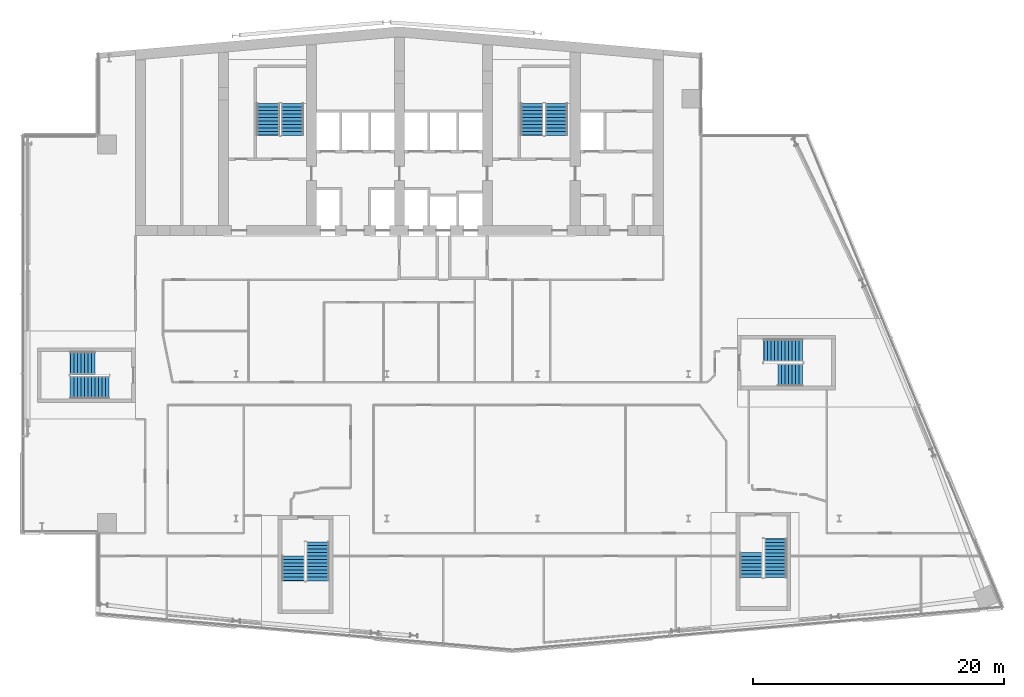
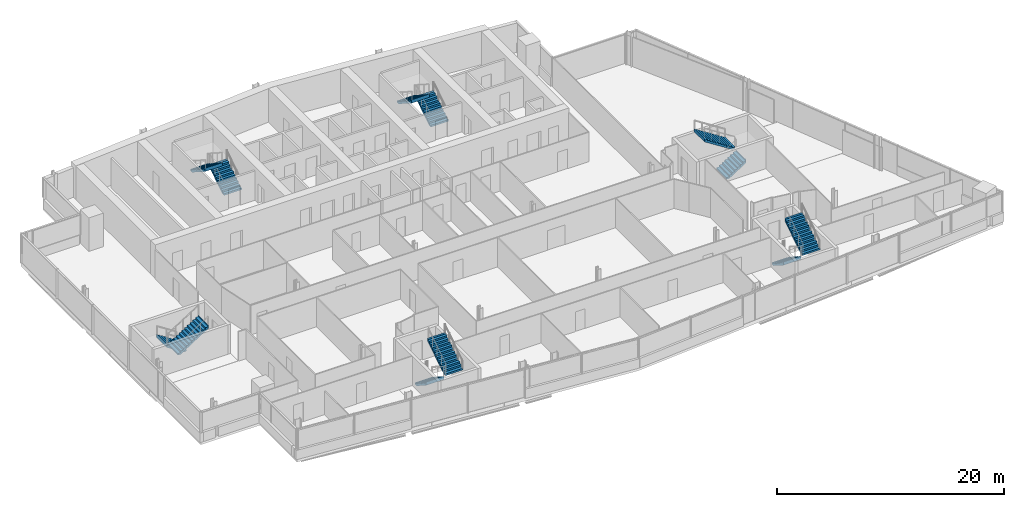
# One storey, part 21 of 24: 12 stair flights, 6 elements without a shape of their own.
"""IFC4 building model written with IfcOpenShell, lengths in metres."""

from ifc_helpers import new_model, si_unit, direction, frame, origin, place, context, subcontext, project, spatial, polyline, outline, extrude, material, type_object, element, aggregate, save


model = new_model("IFC4")

# Units and contexts
model_context = context("Model", 3, precision=1e-05, world=origin(), true_north=direction((0.0, 1.0)))
body_context = subcontext(model_context, "Body", "Model", "MODEL_VIEW")
ifc_project = project(units=[si_unit("LENGTHUNIT", "METRE"), si_unit("AREAUNIT", "SQUARE_METRE"), si_unit("VOLUMEUNIT", "CUBIC_METRE"), si_unit("PLANEANGLEUNIT", "RADIAN"), si_unit("MASSUNIT", "GRAM", prefix="KILO")], contexts=[model_context])

# Site, building, storey
site_placement = place(None, origin())
site = spatial("IfcSite", under=ifc_project, at=site_placement, CompositionType="ELEMENT")
building_placement = place(site_placement, origin())
building = spatial("IfcBuilding", under=site, at=building_placement, Name="Wharfspan Tower", CompositionType="ELEMENT")
storey_placement = place(building_placement, frame((0.0, 0.0, 198.699951)))
storey = spatial("IfcBuildingStorey", under=building, at=storey_placement, Name="L49", CompositionType="ELEMENT", Elevation=198.699951)

# Stair, stair flights
ifc_material = material(Name="Concrete C40/50", Category="concrete")
stair_type = type_object("IfcStairType", Name="Half-turn stair 20 risers 180 mm", PredefinedType="HALF_TURN_STAIR", material=ifc_material)
stair_1_placement = place(storey_placement, origin())
stair_1 = element("IfcStair", 1, at=stair_1_placement, inside=storey, type_object=stair_type, Name="L49 stair ST1", PredefinedType="HALF_TURN_STAIR")
stair_flight_type = type_object("IfcStairFlightType", Name="Stair flight 20 risers 180 mm", PredefinedType="STRAIGHT", material=ifc_material)
stair_flight_1_placement = place(storey_placement, frame((28.5, 42.0, 0.0), z_axis=(0.0, 0.0, 1.0), x_axis=(0.0, 1.0, 0.0)))
stair_flight_1 = element("IfcStairFlight", 2, at=stair_flight_1_placement, type_object=stair_flight_type, Name="ST1 flight 1", NumberOfRisers=10, NumberOfTreads=9, PredefinedType="STRAIGHT", RiserHeight=0.18, TreadLength=0.28, context=body_context, shape_type="SweptSolid", body=[
    extrude(outline(polyline([(-0.011963, 0.0), (-0.011963, 0.179932), (0.0, 0.179932), (0.280029, 0.179932), (0.280029, 0.360107), (0.560059, 0.360107), (0.560059, 0.540039), (0.840088, 0.540039), (0.840088, 0.719971), (1.120117, 0.719971), (1.120117, 0.899902), (1.399902, 0.899902), (1.399902, 1.080078), (1.679932, 1.080078), (1.679932, 1.26001), (1.959961, 1.26001), (1.959961, 1.439941), (2.23999, 1.439941), (2.23999, 1.620117), (2.52002, 1.620117), (2.531982, 1.800049), (2.531982, 1.441895), (0.2771, 0.0), (-0.011963, 0.0)])), frame((0.0, 0.899902, 0.0), z_axis=(0.0, -1.0, 0.0), x_axis=(1.0, 0.0, 0.0)), (0.0, 0.0, 1.0), 0.899414),
    extrude(outline(polyline([(-0.011963, 0.0), (-0.011963, 0.179932), (0.0, 0.179932), (0.280029, 0.179932), (0.280029, 0.360107), (0.560059, 0.360107), (0.560059, 0.540039), (0.840088, 0.540039), (0.840088, 0.719971), (1.120117, 0.719971), (1.120117, 0.899902), (1.399902, 0.899902), (1.399902, 1.080078), (1.679932, 1.080078), (1.679932, 1.26001), (1.959961, 1.26001), (1.959961, 1.439941), (2.23999, 1.439941), (2.23999, 1.620117), (2.52002, 1.620117), (2.531982, 1.800049), (2.531982, 1.441895), (0.2771, 0.0), (-0.011963, 0.0)])), frame((0.0, -0.000488, 0.0), z_axis=(0.0, -1.0, 0.0), x_axis=(1.0, 0.0, 0.0)), (0.0, 0.0, 1.0), 0.899414),
])
stair_flight_2_placement = place(storey_placement, frame((26.550049, 44.52002, 1.800049), z_axis=(0.0, 0.0, 1.0), x_axis=(0.0, -1.0, 0.0)))
stair_flight_2 = element("IfcStairFlight", 3, at=stair_flight_2_placement, type_object=stair_flight_type, Name="ST1 flight 2", NumberOfRisers=10, NumberOfTreads=9, PredefinedType="STRAIGHT", RiserHeight=0.18, TreadLength=0.28, context=body_context, shape_type="SweptSolid", body=[
    extrude(outline(polyline([(-0.011963, 0.0), (-0.011963, 0.179932), (0.0, 0.179932), (0.280029, 0.179932), (0.280029, 0.360107), (0.560059, 0.360107), (0.560059, 0.540039), (0.840088, 0.540039), (0.840088, 0.719971), (1.120117, 0.719971), (1.120117, 0.899902), (1.399902, 0.899902), (1.399902, 1.080078), (1.679932, 1.080078), (1.679932, 1.26001), (1.959961, 1.26001), (1.959961, 1.439941), (2.23999, 1.439941), (2.23999, 1.620117), (2.52002, 1.620117), (2.531982, 1.800049), (2.531982, 1.441895), (0.2771, 0.0), (-0.011963, 0.0)])), frame((0.0, 0.899902, 0.0), z_axis=(0.0, -1.0, 0.0), x_axis=(1.0, 0.0, 0.0)), (0.0, 0.0, 1.0), 0.899414),
    extrude(outline(polyline([(-0.011963, 0.0), (-0.011963, 0.179932), (0.0, 0.179932), (0.280029, 0.179932), (0.280029, 0.360107), (0.560059, 0.360107), (0.560059, 0.540039), (0.840088, 0.540039), (0.840088, 0.719971), (1.120117, 0.719971), (1.120117, 0.899902), (1.399902, 0.899902), (1.399902, 1.080078), (1.679932, 1.080078), (1.679932, 1.26001), (1.959961, 1.26001), (1.959961, 1.439941), (2.23999, 1.439941), (2.23999, 1.620117), (2.52002, 1.620117), (2.531982, 1.800049), (2.531982, 1.441895), (0.2771, 0.0), (-0.011963, 0.0)])), frame((0.0, -0.000488, 0.0), z_axis=(0.0, -1.0, 0.0), x_axis=(1.0, 0.0, 0.0)), (0.0, 0.0, 1.0), 0.899414),
])
aggregate(stair_1, [stair_flight_1, stair_flight_2])

stair_2_placement = place(storey_placement, origin())
stair_2 = element("IfcStair", 4, at=stair_2_placement, inside=storey, type_object=stair_type, Name="L49 stair ST2", PredefinedType="HALF_TURN_STAIR")
stair_flight_3_placement = place(storey_placement, frame((49.5, 42.0, 0.0), z_axis=(0.0, 0.0, 1.0), x_axis=(0.0, 1.0, 0.0)))
stair_flight_3 = element("IfcStairFlight", 5, at=stair_flight_3_placement, type_object=stair_flight_type, Name="ST2 flight 1", NumberOfRisers=10, NumberOfTreads=9, PredefinedType="STRAIGHT", RiserHeight=0.18, TreadLength=0.28, context=body_context, shape_type="SweptSolid", body=[
    extrude(outline(polyline([(-0.011963, 0.0), (-0.011963, 0.179932), (0.0, 0.179932), (0.280029, 0.179932), (0.280029, 0.360107), (0.560059, 0.360107), (0.560059, 0.540039), (0.840088, 0.540039), (0.840088, 0.719971), (1.120117, 0.719971), (1.120117, 0.899902), (1.399902, 0.899902), (1.399902, 1.080078), (1.679932, 1.080078), (1.679932, 1.26001), (1.959961, 1.26001), (1.959961, 1.439941), (2.23999, 1.439941), (2.23999, 1.620117), (2.52002, 1.620117), (2.531982, 1.800049), (2.531982, 1.441895), (0.2771, 0.0), (-0.011963, 0.0)])), frame((0.0, 0.899902, 0.0), z_axis=(0.0, -1.0, 0.0), x_axis=(1.0, 0.0, 0.0)), (0.0, 0.0, 1.0), 0.899414),
    extrude(outline(polyline([(-0.011963, 0.0), (-0.011963, 0.179932), (0.0, 0.179932), (0.280029, 0.179932), (0.280029, 0.360107), (0.560059, 0.360107), (0.560059, 0.540039), (0.840088, 0.540039), (0.840088, 0.719971), (1.120117, 0.719971), (1.120117, 0.899902), (1.399902, 0.899902), (1.399902, 1.080078), (1.679932, 1.080078), (1.679932, 1.26001), (1.959961, 1.26001), (1.959961, 1.439941), (2.23999, 1.439941), (2.23999, 1.620117), (2.52002, 1.620117), (2.531982, 1.800049), (2.531982, 1.441895), (0.2771, 0.0), (-0.011963, 0.0)])), frame((0.0, -0.000488, 0.0), z_axis=(0.0, -1.0, 0.0), x_axis=(1.0, 0.0, 0.0)), (0.0, 0.0, 1.0), 0.899414),
])
stair_flight_4_placement = place(storey_placement, frame((47.550049, 44.52002, 1.800049), z_axis=(0.0, 0.0, 1.0), x_axis=(0.0, -1.0, 0.0)))
stair_flight_4 = element("IfcStairFlight", 6, at=stair_flight_4_placement, type_object=stair_flight_type, Name="ST2 flight 2", NumberOfRisers=10, NumberOfTreads=9, PredefinedType="STRAIGHT", RiserHeight=0.18, TreadLength=0.28, context=body_context, shape_type="SweptSolid", body=[
    extrude(outline(polyline([(-0.011963, 0.0), (-0.011963, 0.179932), (0.0, 0.179932), (0.280029, 0.179932), (0.280029, 0.360107), (0.560059, 0.360107), (0.560059, 0.540039), (0.840088, 0.540039), (0.840088, 0.719971), (1.120117, 0.719971), (1.120117, 0.899902), (1.399902, 0.899902), (1.399902, 1.080078), (1.679932, 1.080078), (1.679932, 1.26001), (1.959961, 1.26001), (1.959961, 1.439941), (2.23999, 1.439941), (2.23999, 1.620117), (2.52002, 1.620117), (2.531982, 1.800049), (2.531982, 1.441895), (0.2771, 0.0), (-0.011963, 0.0)])), frame((0.0, 0.899902, 0.0), z_axis=(0.0, -1.0, 0.0), x_axis=(1.0, 0.0, 0.0)), (0.0, 0.0, 1.0), 0.899414),
    extrude(outline(polyline([(-0.011963, 0.0), (-0.011963, 0.179932), (0.0, 0.179932), (0.280029, 0.179932), (0.280029, 0.360107), (0.560059, 0.360107), (0.560059, 0.540039), (0.840088, 0.540039), (0.840088, 0.719971), (1.120117, 0.719971), (1.120117, 0.899902), (1.399902, 0.899902), (1.399902, 1.080078), (1.679932, 1.080078), (1.679932, 1.26001), (1.959961, 1.26001), (1.959961, 1.439941), (2.23999, 1.439941), (2.23999, 1.620117), (2.52002, 1.620117), (2.531982, 1.800049), (2.531982, 1.441895), (0.2771, 0.0), (-0.011963, 0.0)])), frame((0.0, -0.000488, 0.0), z_axis=(0.0, -1.0, 0.0), x_axis=(1.0, 0.0, 0.0)), (0.0, 0.0, 1.0), 0.899414),
])
aggregate(stair_2, [stair_flight_3, stair_flight_4])

stair_3_placement = place(storey_placement, origin())
stair_3 = element("IfcStair", 7, at=stair_3_placement, inside=storey, type_object=stair_type, Name="L49 stair ST3", PredefinedType="HALF_TURN_STAIR")
stair_flight_5_placement = place(storey_placement, frame((12.780029, 23.875, 0.0), z_axis=(0.0, 0.0, 1.0), x_axis=(-1.0, 0.0, 0.0)))
stair_flight_5 = element("IfcStairFlight", 8, at=stair_flight_5_placement, type_object=stair_flight_type, Name="ST3 flight 1", NumberOfRisers=8, NumberOfTreads=7, PredefinedType="STRAIGHT", RiserHeight=0.18, TreadLength=0.28, context=body_context, shape_type="SweptSolid", body=[
    extrude(outline(polyline([(-0.011963, 0.0), (-0.011963, 0.179932), (0.0, 0.179932), (0.280029, 0.179932), (0.280029, 0.360107), (0.560059, 0.360107), (0.560059, 0.540039), (0.840088, 0.540039), (0.840088, 0.719971), (1.120117, 0.719971), (1.120117, 0.899902), (1.399902, 0.899902), (1.399902, 1.080078), (1.679932, 1.080078), (1.679932, 1.26001), (1.959961, 1.26001), (1.971924, 1.439941), (1.971924, 1.081787), (0.2771, 0.0), (-0.011963, 0.0)])), frame((0.0, 0.899902, 0.0), z_axis=(0.0, -1.0, 0.0), x_axis=(1.0, 0.0, 0.0)), (0.0, 0.0, 1.0), 0.899414),
    extrude(outline(polyline([(-0.011963, 0.0), (-0.011963, 0.179932), (0.0, 0.179932), (0.280029, 0.179932), (0.280029, 0.360107), (0.560059, 0.360107), (0.560059, 0.540039), (0.840088, 0.540039), (0.840088, 0.719971), (1.120117, 0.719971), (1.120117, 0.899902), (1.399902, 0.899902), (1.399902, 1.080078), (1.679932, 1.080078), (1.679932, 1.26001), (1.959961, 1.26001), (1.971924, 1.439941), (1.971924, 1.081787), (0.2771, 0.0), (-0.011963, 0.0)])), frame((0.0, -0.000488, 0.0), z_axis=(0.0, -1.0, 0.0), x_axis=(1.0, 0.0, 0.0)), (0.0, 0.0, 1.0), 0.899414),
])
stair_flight_6_placement = place(storey_placement, frame((10.820068, 21.925049, 1.439941), z_axis=(0.0, 0.0, 1.0), x_axis=(1.0, 0.0, 0.0)))
stair_flight_6 = element("IfcStairFlight", 9, at=stair_flight_6_placement, type_object=stair_flight_type, Name="ST3 flight 2", NumberOfRisers=12, NumberOfTreads=11, PredefinedType="STRAIGHT", RiserHeight=0.18, TreadLength=0.28, context=body_context, shape_type="SweptSolid", body=[
    extrude(outline(polyline([(-0.011963, 0.0), (-0.011963, 0.179932), (0.0, 0.179932), (0.280029, 0.179932), (0.280029, 0.360107), (0.560059, 0.360107), (0.560059, 0.540039), (0.840088, 0.540039), (0.840088, 0.719971), (1.120117, 0.719971), (1.120117, 0.899902), (1.399902, 0.899902), (1.399902, 1.080078), (1.679932, 1.080078), (1.679932, 1.26001), (1.959961, 1.26001), (1.959961, 1.439941), (2.23999, 1.439941), (2.23999, 1.620117), (2.52002, 1.620117), (2.52002, 1.800049), (2.800049, 1.800049), (2.800049, 1.97998), (3.080078, 1.97998), (3.092041, 2.159912), (3.092041, 1.801758), (0.2771, 0.0), (-0.011963, 0.0)])), frame((0.0, 0.899902, 0.0), z_axis=(0.0, -1.0, 0.0), x_axis=(1.0, 0.0, 0.0)), (0.0, 0.0, 1.0), 1.800049),
])
aggregate(stair_3, [stair_flight_5, stair_flight_6])

stair_4_placement = place(storey_placement, origin())
stair_4 = element("IfcStair", 10, at=stair_4_placement, inside=storey, type_object=stair_type, Name="L49 stair ST4", PredefinedType="HALF_TURN_STAIR")
stair_flight_7_placement = place(storey_placement, frame((28.564209, 8.514404, 0.0), z_axis=(0.0, 0.0, 1.0), x_axis=(0.0, -1.0, 0.0)))
stair_flight_7 = element("IfcStairFlight", 11, at=stair_flight_7_placement, type_object=stair_flight_type, Name="ST4 flight 1", NumberOfRisers=8, NumberOfTreads=7, PredefinedType="STRAIGHT", RiserHeight=0.18, TreadLength=0.28, context=body_context, shape_type="SweptSolid", body=[
    extrude(outline(polyline([(-0.011963, 0.0), (-0.011963, 0.179932), (0.0, 0.179932), (0.280029, 0.179932), (0.280029, 0.360107), (0.560059, 0.360107), (0.560059, 0.540039), (0.840088, 0.540039), (0.840088, 0.719971), (1.120117, 0.719971), (1.120117, 0.899902), (1.399902, 0.899902), (1.399902, 1.080078), (1.679932, 1.080078), (1.679932, 1.26001), (1.959961, 1.26001), (1.971924, 1.439941), (1.971924, 1.081787), (0.2771, 0.0), (-0.011963, 0.0)])), frame((0.0, 0.899902, 0.0), z_axis=(0.0, -1.0, 0.0), x_axis=(1.0, 0.0, 0.0)), (0.0, 0.0, 1.0), 0.899414),
    extrude(outline(polyline([(-0.011963, 0.0), (-0.011963, 0.179932), (0.0, 0.179932), (0.280029, 0.179932), (0.280029, 0.360107), (0.560059, 0.360107), (0.560059, 0.540039), (0.840088, 0.540039), (0.840088, 0.719971), (1.120117, 0.719971), (1.120117, 0.899902), (1.399902, 0.899902), (1.399902, 1.080078), (1.679932, 1.080078), (1.679932, 1.26001), (1.959961, 1.26001), (1.971924, 1.439941), (1.971924, 1.081787), (0.2771, 0.0), (-0.011963, 0.0)])), frame((0.0, -0.000488, 0.0), z_axis=(0.0, -1.0, 0.0), x_axis=(1.0, 0.0, 0.0)), (0.0, 0.0, 1.0), 0.899414),
])
stair_flight_8_placement = place(storey_placement, frame((30.51416, 6.554199, 1.439941), z_axis=(0.0, 0.0, 1.0), x_axis=(0.0, 1.0, 0.0)))
stair_flight_8 = element("IfcStairFlight", 12, at=stair_flight_8_placement, type_object=stair_flight_type, Name="ST4 flight 2", NumberOfRisers=12, NumberOfTreads=11, PredefinedType="STRAIGHT", RiserHeight=0.18, TreadLength=0.28, context=body_context, shape_type="SweptSolid", body=[
    extrude(outline(polyline([(-0.011963, 0.0), (-0.011963, 0.179932), (0.0, 0.179932), (0.280029, 0.179932), (0.280029, 0.360107), (0.560059, 0.360107), (0.560059, 0.540039), (0.840088, 0.540039), (0.840088, 0.719971), (1.120117, 0.719971), (1.120117, 0.899902), (1.399902, 0.899902), (1.399902, 1.080078), (1.679932, 1.080078), (1.679932, 1.26001), (1.959961, 1.26001), (1.959961, 1.439941), (2.23999, 1.439941), (2.23999, 1.620117), (2.52002, 1.620117), (2.52002, 1.800049), (2.800049, 1.800049), (2.800049, 1.97998), (3.080078, 1.97998), (3.092041, 2.159912), (3.092041, 1.801758), (0.2771, 0.0), (-0.011963, 0.0)])), frame((0.0, 0.899902, 0.0), z_axis=(0.0, -1.0, 0.0), x_axis=(1.0, 0.0, 0.0)), (0.0, 0.0, 1.0), 1.800049),
])
aggregate(stair_4, [stair_flight_7, stair_flight_8])

stair_5_placement = place(storey_placement, origin())
stair_5 = element("IfcStair", 13, at=stair_5_placement, inside=storey, type_object=stair_type, Name="L49 stair ST5", PredefinedType="HALF_TURN_STAIR")
stair_flight_9_placement = place(storey_placement, frame((64.986328, 8.763672, 0.0), z_axis=(0.0, 0.0, 1.0), x_axis=(0.0, -1.0, 0.0)))
stair_flight_9 = element("IfcStairFlight", 14, at=stair_flight_9_placement, type_object=stair_flight_type, Name="ST5 flight 1", NumberOfRisers=8, NumberOfTreads=7, PredefinedType="STRAIGHT", RiserHeight=0.18, TreadLength=0.28, context=body_context, shape_type="SweptSolid", body=[
    extrude(outline(polyline([(-0.011963, 0.0), (-0.011963, 0.179932), (0.0, 0.179932), (0.280029, 0.179932), (0.280029, 0.360107), (0.560059, 0.360107), (0.560059, 0.540039), (0.840088, 0.540039), (0.840088, 0.719971), (1.120117, 0.719971), (1.120117, 0.899902), (1.399902, 0.899902), (1.399902, 1.080078), (1.679932, 1.080078), (1.679932, 1.26001), (1.959961, 1.26001), (1.971924, 1.439941), (1.971924, 1.081787), (0.2771, 0.0), (-0.011963, 0.0)])), frame((0.0, 0.899902, 0.0), z_axis=(0.0, -1.0, 0.0), x_axis=(1.0, 0.0, 0.0)), (0.0, 0.0, 1.0), 0.899414),
    extrude(outline(polyline([(-0.011963, 0.0), (-0.011963, 0.179932), (0.0, 0.179932), (0.280029, 0.179932), (0.280029, 0.360107), (0.560059, 0.360107), (0.560059, 0.540039), (0.840088, 0.540039), (0.840088, 0.719971), (1.120117, 0.719971), (1.120117, 0.899902), (1.399902, 0.899902), (1.399902, 1.080078), (1.679932, 1.080078), (1.679932, 1.26001), (1.959961, 1.26001), (1.971924, 1.439941), (1.971924, 1.081787), (0.2771, 0.0), (-0.011963, 0.0)])), frame((0.0, -0.000488, 0.0), z_axis=(0.0, -1.0, 0.0), x_axis=(1.0, 0.0, 0.0)), (0.0, 0.0, 1.0), 0.899414),
])
stair_flight_10_placement = place(storey_placement, frame((66.936279, 6.803711, 1.439941), z_axis=(0.0, 0.0, 1.0), x_axis=(0.0, 1.0, 0.0)))
stair_flight_10 = element("IfcStairFlight", 15, at=stair_flight_10_placement, type_object=stair_flight_type, Name="ST5 flight 2", NumberOfRisers=12, NumberOfTreads=11, PredefinedType="STRAIGHT", RiserHeight=0.18, TreadLength=0.28, context=body_context, shape_type="SweptSolid", body=[
    extrude(outline(polyline([(-0.011963, 0.0), (-0.011963, 0.179932), (0.0, 0.179932), (0.280029, 0.179932), (0.280029, 0.360107), (0.560059, 0.360107), (0.560059, 0.540039), (0.840088, 0.540039), (0.840088, 0.719971), (1.120117, 0.719971), (1.120117, 0.899902), (1.399902, 0.899902), (1.399902, 1.080078), (1.679932, 1.080078), (1.679932, 1.26001), (1.959961, 1.26001), (1.959961, 1.439941), (2.23999, 1.439941), (2.23999, 1.620117), (2.52002, 1.620117), (2.52002, 1.800049), (2.800049, 1.800049), (2.800049, 1.97998), (3.080078, 1.97998), (3.092041, 2.159912), (3.092041, 1.801758), (0.2771, 0.0), (-0.011963, 0.0)])), frame((0.0, 0.899902, 0.0), z_axis=(0.0, -1.0, 0.0), x_axis=(1.0, 0.0, 0.0)), (0.0, 0.0, 1.0), 1.800049),
])
aggregate(stair_5, [stair_flight_9, stair_flight_10])

stair_6_placement = place(storey_placement, origin())
stair_6 = element("IfcStair", 16, at=stair_6_placement, inside=storey, type_object=stair_type, Name="L49 stair ST6", PredefinedType="HALF_TURN_STAIR")
stair_flight_11_placement = place(storey_placement, frame((67.124512, 22.925049, 0.0), z_axis=(0.0, 0.0, 1.0), x_axis=(1.0, 0.0, 0.0)))
stair_flight_11 = element("IfcStairFlight", 17, at=stair_flight_11_placement, type_object=stair_flight_type, Name="ST6 flight 1", NumberOfRisers=8, NumberOfTreads=7, PredefinedType="STRAIGHT", RiserHeight=0.18, TreadLength=0.28, context=body_context, shape_type="SweptSolid", body=[
    extrude(outline(polyline([(-0.011963, 0.0), (-0.011963, 0.179932), (0.0, 0.179932), (0.280029, 0.179932), (0.280029, 0.360107), (0.560059, 0.360107), (0.560059, 0.540039), (0.840088, 0.540039), (0.840088, 0.719971), (1.120117, 0.719971), (1.120117, 0.899902), (1.399902, 0.899902), (1.399902, 1.080078), (1.679932, 1.080078), (1.679932, 1.26001), (1.959961, 1.26001), (1.971924, 1.439941), (1.971924, 1.081787), (0.2771, 0.0), (-0.011963, 0.0)])), frame((0.0, 0.899902, 0.0), z_axis=(0.0, -1.0, 0.0), x_axis=(1.0, 0.0, 0.0)), (0.0, 0.0, 1.0), 0.899414),
    extrude(outline(polyline([(-0.011963, 0.0), (-0.011963, 0.179932), (0.0, 0.179932), (0.280029, 0.179932), (0.280029, 0.360107), (0.560059, 0.360107), (0.560059, 0.540039), (0.840088, 0.540039), (0.840088, 0.719971), (1.120117, 0.719971), (1.120117, 0.899902), (1.399902, 0.899902), (1.399902, 1.080078), (1.679932, 1.080078), (1.679932, 1.26001), (1.959961, 1.26001), (1.971924, 1.439941), (1.971924, 1.081787), (0.2771, 0.0), (-0.011963, 0.0)])), frame((0.0, -0.000488, 0.0), z_axis=(0.0, -1.0, 0.0), x_axis=(1.0, 0.0, 0.0)), (0.0, 0.0, 1.0), 0.899414),
])
stair_flight_12_placement = place(storey_placement, frame((69.084473, 24.875, 1.439941), z_axis=(0.0, 0.0, 1.0), x_axis=(-1.0, 0.0, 0.0)))
stair_flight_12 = element("IfcStairFlight", 18, at=stair_flight_12_placement, type_object=stair_flight_type, Name="ST6 flight 2", NumberOfRisers=12, NumberOfTreads=11, PredefinedType="STRAIGHT", RiserHeight=0.18, TreadLength=0.28, context=body_context, shape_type="SweptSolid", body=[
    extrude(outline(polyline([(-0.011963, 0.0), (-0.011963, 0.179932), (0.0, 0.179932), (0.280029, 0.179932), (0.280029, 0.360107), (0.560059, 0.360107), (0.560059, 0.540039), (0.840088, 0.540039), (0.840088, 0.719971), (1.120117, 0.719971), (1.120117, 0.899902), (1.399902, 0.899902), (1.399902, 1.080078), (1.679932, 1.080078), (1.679932, 1.26001), (1.959961, 1.26001), (1.959961, 1.439941), (2.23999, 1.439941), (2.23999, 1.620117), (2.52002, 1.620117), (2.52002, 1.800049), (2.800049, 1.800049), (2.800049, 1.97998), (3.080078, 1.97998), (3.092041, 2.159912), (3.092041, 1.801758), (0.2771, 0.0), (-0.011963, 0.0)])), frame((0.0, 0.899902, 0.0), z_axis=(0.0, -1.0, 0.0), x_axis=(1.0, 0.0, 0.0)), (0.0, 0.0, 1.0), 1.800049),
])
aggregate(stair_6, [stair_flight_11, stair_flight_12])

save(model, "model.ifc")
